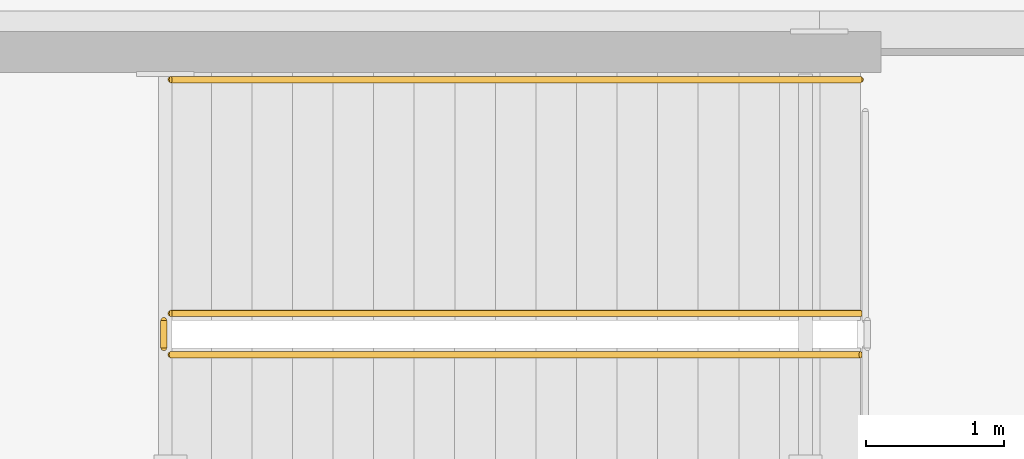
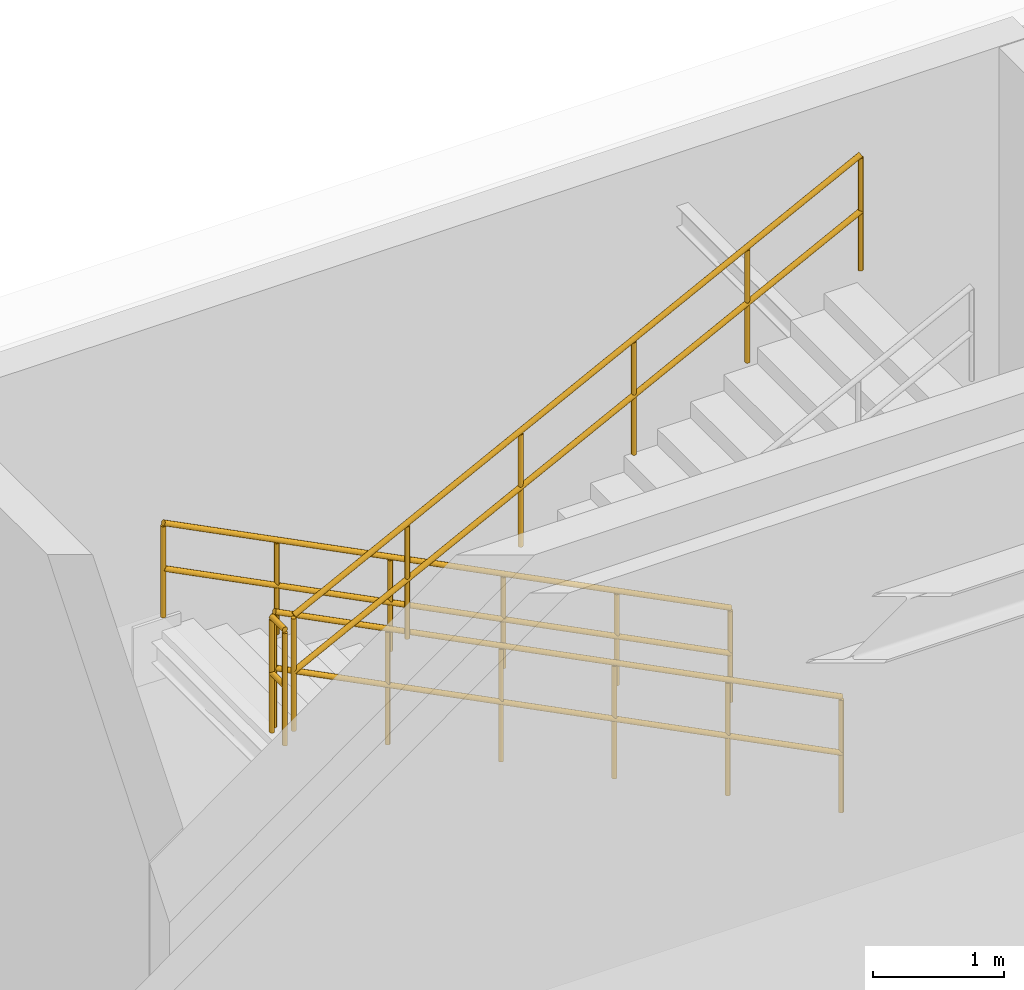
# One storey, part 118 of 129: 4 railings.
"""IFC4 building model written with IfcOpenShell, lengths in metres."""

from ifc_helpers import new_model, si_unit, direction, frame, origin, origin_2d, place, context, subcontext, project, spatial, circle, extrude, material, type_object, element, save


model = new_model("IFC4")

# Units and contexts
model_context = context("Model", 3, precision=1e-05, world=origin(), true_north=direction((0.0, 1.0)))
body_context = subcontext(model_context, "Body", "Model", "MODEL_VIEW")
ifc_project = project(units=[si_unit("LENGTHUNIT", "METRE"), si_unit("AREAUNIT", "SQUARE_METRE"), si_unit("VOLUMEUNIT", "CUBIC_METRE"), si_unit("PLANEANGLEUNIT", "RADIAN"), si_unit("MASSUNIT", "GRAM", prefix="KILO")], contexts=[model_context])

# Site, building, storey
site_placement = place(None, origin())
site = spatial("IfcSite", under=ifc_project, at=site_placement, CompositionType="ELEMENT")
building_placement = place(site_placement, origin())
building = spatial("IfcBuilding", under=site, at=building_placement, Name="Sundkrona Museum", CompositionType="ELEMENT")
storey_placement = place(building_placement, origin())
storey = spatial("IfcBuildingStorey", under=building, at=storey_placement, Name="L00", CompositionType="ELEMENT", Elevation=0.0)

# Railings
ifc_material_1 = material(Name="Painted Steel S355J2 and Laminated Glass Balustrade", Category="steel")
railing_type_1 = type_object("IfcRailingType", Name="RL-GUARD-1100", PredefinedType="BALUSTRADE", material=ifc_material_1)
railing_1_placement = place(storey_placement, frame((48.300048828125, 111.949951171875, 0.14990234375)))
element("IfcRailing", 1, at=railing_1_placement, inside=storey, type_object=railing_type_1, Name="L00 ST-3 stair guard 1", PredefinedType="BALUSTRADE", context=body_context, shape_type="SweptSolid", body=[
    extrude(circle(Radius=0.02392578125, at=origin_2d()), frame((0.0, 0.0, 1.076171875), z_axis=(-0.891386615937, 0.0, 0.453243754428), x_axis=(0.0, -1.0, 0.0)), (0.0, 0.0, 1.0), 5.626220703125),
    extrude(circle(Radius=0.02392578125, at=origin_2d()), frame((0.0, 0.0, 0.550048828125), z_axis=(-0.891386615937, 0.0, 0.453243754428), x_axis=(0.0, -1.0, 0.0)), (0.0, 0.0, 1.0), 5.626220703125),
    extrude(circle(Radius=0.02099609375, at=origin_2d()), origin(), (0.0, 0.0, 1.0), 1.052001953125),
    extrude(circle(Radius=0.02099609375, at=origin_2d()), frame((-1.0029296875, 0.0, 0.510009765625)), (0.0, 0.0, 1.0), 1.052001953125),
    extrude(circle(Radius=0.02099609375, at=origin_2d()), frame((-2.006103515625, 0.0, 1.02001953125)), (0.0, 0.0, 1.0), 1.052001953125),
    extrude(circle(Radius=0.02099609375, at=origin_2d()), frame((-3.009033203125, 0.0, 1.530029296875)), (0.0, 0.0, 1.0), 1.052001953125),
    extrude(circle(Radius=0.02099609375, at=origin_2d()), frame((-4.01220703125, 0.0, 2.0400390625)), (0.0, 0.0, 1.0), 1.052001953125),
    extrude(circle(Radius=0.02099609375, at=origin_2d()), frame((-5.01513671875, 0.0, 2.550048828125)), (0.0, 0.0, 1.0), 1.052001953125),
])
railing_2_placement = place(storey_placement, frame((43.235107421875, 111.89990234375, 2.699951171875)))
element("IfcRailing", 2, at=railing_2_placement, inside=storey, type_object=railing_type_1, Name="L00 ST-3 stair guard 2", PredefinedType="BALUSTRADE", context=body_context, shape_type="SweptSolid", body=[
    extrude(circle(Radius=0.02392578125, at=origin_2d()), frame((0.0, 0.0, 1.076171875), z_axis=(0.0, -1.0, 0.0), x_axis=(1.0, 0.0, 0.0)), (0.0, 0.0, 1.0), 0.199951171875),
    extrude(circle(Radius=0.02392578125, at=origin_2d()), frame((0.0, 0.0, 0.550048828125), z_axis=(0.0, -1.0, 0.0), x_axis=(1.0, 0.0, 0.0)), (0.0, 0.0, 1.0), 0.199951171875),
    extrude(circle(Radius=0.02099609375, at=origin_2d()), origin(), (0.0, 0.0, 1.0), 1.052001953125),
    extrude(circle(Radius=0.02099609375, at=origin_2d()), frame((0.0, -0.199951171875, 0.0)), (0.0, 0.0, 1.0), 1.052001953125),
])
railing_3_placement = place(storey_placement, frame((43.284912109375, 111.64990234375, 2.85009765625)))
element("IfcRailing", 3, at=railing_3_placement, inside=storey, type_object=railing_type_1, Name="L00 ST-3 stair guard 3", PredefinedType="BALUSTRADE", context=body_context, shape_type="SweptSolid", body=[
    extrude(circle(Radius=0.02392578125, at=origin_2d()), frame((0.0, 0.0, 1.076171875), z_axis=(0.891404147206, 0.0, 0.453209274336), x_axis=(0.0, 1.0, 0.0)), (0.0, 0.0, 1.0), 5.626220703125),
    extrude(circle(Radius=0.02392578125, at=origin_2d()), frame((0.0, 0.0, 0.550048828125), z_axis=(0.891404147206, 0.0, 0.453209274336), x_axis=(0.0, 1.0, 0.0)), (0.0, 0.0, 1.0), 5.626220703125),
    extrude(circle(Radius=0.02099609375, at=origin_2d()), origin(), (0.0, 0.0, 1.0), 1.052001953125),
    extrude(circle(Radius=0.02099609375, at=origin_2d()), frame((1.0029296875, 0.0, 0.510009765625)), (0.0, 0.0, 1.0), 1.052001953125),
    extrude(circle(Radius=0.02099609375, at=origin_2d()), frame((2.006103515625, 0.0, 1.02001953125)), (0.0, 0.0, 1.0), 1.052001953125),
    extrude(circle(Radius=0.02099609375, at=origin_2d()), frame((3.009033203125, 0.0, 1.52978515625)), (0.0, 0.0, 1.0), 1.052001953125),
    extrude(circle(Radius=0.02099609375, at=origin_2d()), frame((4.01220703125, 0.0, 2.039794921875)), (0.0, 0.0, 1.0), 1.052001953125),
    extrude(circle(Radius=0.02099609375, at=origin_2d()), frame((5.01513671875, 0.0, 2.5498046875)), (0.0, 0.0, 1.0), 1.052001953125),
])
ifc_material_2 = material(Name="Brushed Bronze-Clad Steel Handrail", Category="steel")
railing_type_2 = type_object("IfcRailingType", Name="RL-HAND-900", PredefinedType="HANDRAIL", material=ifc_material_2)
railing_4_placement = place(storey_placement, frame((48.300048828125, 113.64990234375, 0.14990234375)))
element("IfcRailing", 4, at=railing_4_placement, inside=storey, type_object=railing_type_2, Name="L00 ST-3 stair handrail 1", PredefinedType="HANDRAIL", context=body_context, shape_type="SweptSolid", body=[
    extrude(circle(Radius=0.02392578125, at=origin_2d()), frame((0.0, 0.0, 0.8759765625), z_axis=(-0.891386615937, 0.0, 0.453243754428), x_axis=(0.0, -1.0, 0.0)), (0.0, 0.0, 1.0), 5.626220703125),
    extrude(circle(Radius=0.02392578125, at=origin_2d()), frame((0.0, 0.0, 0.449951171875), z_axis=(-0.891386615937, 0.0, 0.453243754428), x_axis=(0.0, -1.0, 0.0)), (0.0, 0.0, 1.0), 5.626220703125),
    extrude(circle(Radius=0.02099609375, at=origin_2d()), origin(), (0.0, 0.0, 1.0), 0.851806640625),
    extrude(circle(Radius=0.02099609375, at=origin_2d()), frame((-1.0029296875, 0.0, 0.510009765625)), (0.0, 0.0, 1.0), 0.851806640625),
    extrude(circle(Radius=0.02099609375, at=origin_2d()), frame((-2.006103515625, 0.0, 1.02001953125)), (0.0, 0.0, 1.0), 0.851806640625),
    extrude(circle(Radius=0.02099609375, at=origin_2d()), frame((-3.009033203125, 0.0, 1.530029296875)), (0.0, 0.0, 1.0), 0.851806640625),
    extrude(circle(Radius=0.02099609375, at=origin_2d()), frame((-4.01220703125, 0.0, 2.0400390625)), (0.0, 0.0, 1.0), 0.851806640625),
    extrude(circle(Radius=0.02099609375, at=origin_2d()), frame((-5.01513671875, 0.0, 2.550048828125)), (0.0, 0.0, 1.0), 0.851806640625),
])

save(model, "model.ifc")
